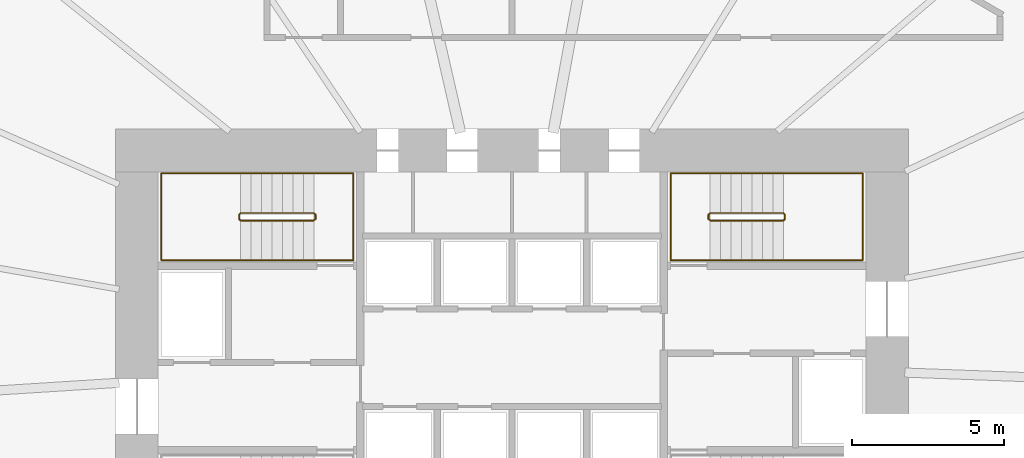
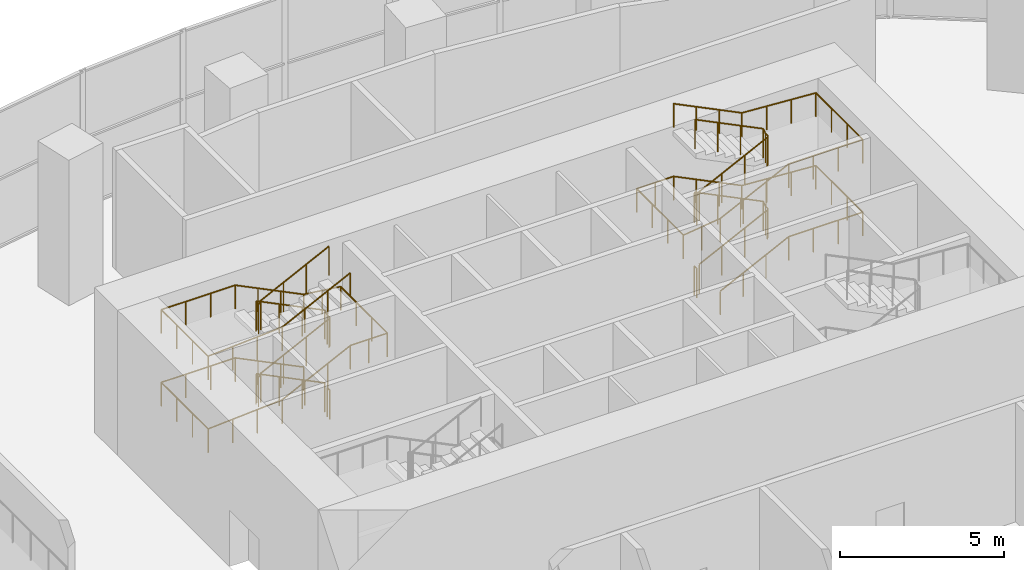
# One storey, part 20 of 20: 6 railings.
"""IFC4 building model written with IfcOpenShell, lengths in metres."""

from ifc_helpers import new_model, si_unit, direction, frame, origin, origin_2d, place, context, subcontext, project, spatial, circle, extrude, material, type_object, element, save


model = new_model("IFC4")

# Units and contexts
model_context = context("Model", 3, precision=1e-05, world=origin(), true_north=direction((0.0, 1.0)))
body_context = subcontext(model_context, "Body", "Model", "MODEL_VIEW")
ifc_project = project(units=[si_unit("LENGTHUNIT", "METRE"), si_unit("AREAUNIT", "SQUARE_METRE"), si_unit("VOLUMEUNIT", "CUBIC_METRE"), si_unit("PLANEANGLEUNIT", "RADIAN"), si_unit("MASSUNIT", "GRAM", prefix="KILO")], contexts=[model_context])

# Site, building, storey
site_placement = place(None, origin())
site = spatial("IfcSite", under=ifc_project, at=site_placement, CompositionType="ELEMENT")
building_placement = place(site_placement, origin())
building = spatial("IfcBuilding", under=site, at=building_placement, Name="Rubra Terraces Tower", CompositionType="ELEMENT")
storey_placement = place(building_placement, frame((0.0, 0.0, 22.800048828125)))
storey = spatial("IfcBuildingStorey", under=building, at=storey_placement, Name="L03", CompositionType="ELEMENT", Elevation=22.800048828125)

# Railings
ifc_material = material(Name="Stainless steel", Category="steel")
railing_type_1 = type_object("IfcRailingType", Name="Core stair guard 1100", PredefinedType="GUARDRAIL", material=ifc_material)
railing_1_placement = place(storey_placement, frame((-6.5, 9.25, 0.168701171875)))
element("IfcRailing", 1, at=railing_1_placement, inside=storey, type_object=railing_type_1, Name="L03 stair S2 guard 1", PredefinedType="GUARDRAIL", context=body_context, shape_type="SweptSolid", body=[
    extrude(circle(Radius=0.02392578125, at=origin_2d()), frame((0.0, 0.0, 1.076171875), z_axis=(-0.897220749972, 0.0, 0.441582297901), x_axis=(0.0, -1.0, 0.0)), (0.0, 0.0, 1.0), 2.6748046875),
    extrude(circle(Radius=0.02392578125, at=origin_2d()), frame((-2.39990234375, 0.0, 2.25732421875), z_axis=(-0.707106781187, -0.707106781187, 0.0), x_axis=(0.707106781187, -0.707106781187, 0.0)), (0.0, 0.0, 1.0), 0.07080078125),
    extrude(circle(Radius=0.02392578125, at=origin_2d()), frame((-2.449951171875, -0.050048828125, 2.25732421875), z_axis=(0.0, -1.0, 0.0), x_axis=(1.0, 0.0, 0.0)), (0.0, 0.0, 1.0), 0.14990234375),
    extrude(circle(Radius=0.02392578125, at=origin_2d()), frame((-2.449951171875, -0.199951171875, 2.25732421875), z_axis=(0.273232802156, -0.273232802156, 0.922327312645), x_axis=(0.707106781187, 0.707106781187, 0.0)), (0.0, 0.0, 1.0), 0.18310546875),
    extrude(circle(Radius=0.02392578125, at=origin_2d()), frame((-2.39990234375, -0.25, 2.42626953125), z_axis=(0.897220749972, 0.0, 0.441582297901), x_axis=(0.0, 1.0, 0.0)), (0.0, 0.0, 1.0), 2.6748046875),
    extrude(circle(Radius=0.02392578125, at=origin_2d()), frame((0.0, -0.25, 3.607421875), z_axis=(0.707106781187, 0.707106781187, 0.0), x_axis=(-0.707106781187, 0.707106781187, 0.0)), (0.0, 0.0, 1.0), 0.07080078125),
    extrude(circle(Radius=0.02392578125, at=origin_2d()), frame((0.050048828125, -0.199951171875, 3.607421875), z_axis=(0.0, 1.0, 0.0), x_axis=(-1.0, 0.0, 0.0)), (0.0, 0.0, 1.0), 0.14990234375),
    extrude(circle(Radius=0.02392578125, at=origin_2d()), frame((0.050048828125, -0.050048828125, 3.607421875), z_axis=(-0.273569069059, 0.273569069059, 0.922127935218), x_axis=(-0.707106781187, -0.707106781187, 0.0)), (0.0, 0.0, 1.0), 0.182861328125),
    extrude(circle(Radius=0.02392578125, at=origin_2d()), frame((0.0, 0.0, 3.77587890625), z_axis=(-0.897184586062, 0.0, 0.441655769273), x_axis=(0.0, -1.0, 0.0)), (0.0, 0.0, 1.0), 2.6748046875),
    extrude(circle(Radius=0.02392578125, at=origin_2d()), frame((-2.39990234375, 0.0, 4.95751953125), z_axis=(-0.707106781187, -0.707106781187, 0.0), x_axis=(0.707106781187, -0.707106781187, 0.0)), (0.0, 0.0, 1.0), 0.07080078125),
    extrude(circle(Radius=0.02392578125, at=origin_2d()), frame((-2.449951171875, -0.050048828125, 4.95751953125), z_axis=(0.0, -1.0, 0.0), x_axis=(1.0, 0.0, 0.0)), (0.0, 0.0, 1.0), 0.14990234375),
    extrude(circle(Radius=0.02392578125, at=origin_2d()), frame((-2.449951171875, -0.199951171875, 4.95751953125), z_axis=(0.273569069059, -0.273569069059, 0.922127935218), x_axis=(0.707106781187, 0.707106781187, 0.0)), (0.0, 0.0, 1.0), 0.182861328125),
    extrude(circle(Radius=0.02392578125, at=origin_2d()), frame((-2.39990234375, -0.25, 5.1259765625), z_axis=(0.897220749972, 0.0, 0.441582297901), x_axis=(0.0, 1.0, 0.0)), (0.0, 0.0, 1.0), 2.6748046875),
    extrude(circle(Radius=0.02099609375, at=origin_2d()), origin(), (0.0, 0.0, 1.0), 1.052001953125),
    extrude(circle(Radius=0.02099609375, at=origin_2d()), frame((-0.800048828125, 0.0, 0.393798828125)), (0.0, 0.0, 1.0), 1.052001953125),
    extrude(circle(Radius=0.02099609375, at=origin_2d()), frame((-1.599853515625, 0.0, 0.787353515625)), (0.0, 0.0, 1.0), 1.052001953125),
    extrude(circle(Radius=0.02099609375, at=origin_2d()), frame((-2.39990234375, 0.0, 1.18115234375)), (0.0, 0.0, 1.0), 1.052001953125),
    extrude(circle(Radius=0.02099609375, at=origin_2d()), frame((-2.449951171875, -0.050048828125, 1.18115234375)), (0.0, 0.0, 1.0), 1.052001953125),
    extrude(circle(Radius=0.02099609375, at=origin_2d()), frame((-2.449951171875, -0.199951171875, 1.18115234375)), (0.0, 0.0, 1.0), 1.052001953125),
    extrude(circle(Radius=0.02099609375, at=origin_2d()), frame((-2.39990234375, -0.25, 1.35009765625)), (0.0, 0.0, 1.0), 1.052001953125),
    extrude(circle(Radius=0.02099609375, at=origin_2d()), frame((-1.599853515625, -0.25, 1.743896484375)), (0.0, 0.0, 1.0), 1.052001953125),
    extrude(circle(Radius=0.02099609375, at=origin_2d()), frame((-0.800048828125, -0.25, 2.137451171875)), (0.0, 0.0, 1.0), 1.052001953125),
    extrude(circle(Radius=0.02099609375, at=origin_2d()), frame((0.0, -0.25, 2.53125)), (0.0, 0.0, 1.0), 1.052001953125),
    extrude(circle(Radius=0.02099609375, at=origin_2d()), frame((0.050048828125, -0.199951171875, 2.53125)), (0.0, 0.0, 1.0), 1.052001953125),
    extrude(circle(Radius=0.02099609375, at=origin_2d()), frame((0.050048828125, -0.050048828125, 2.53125)), (0.0, 0.0, 1.0), 1.052001953125),
    extrude(circle(Radius=0.02099609375, at=origin_2d()), frame((0.0, 0.0, 2.699951171875)), (0.0, 0.0, 1.0), 1.052001953125),
    extrude(circle(Radius=0.02099609375, at=origin_2d()), frame((-0.800048828125, 0.0, 3.09375)), (0.0, 0.0, 1.0), 1.052001953125),
    extrude(circle(Radius=0.02099609375, at=origin_2d()), frame((-1.599853515625, 0.0, 3.487548828125)), (0.0, 0.0, 1.0), 1.052001953125),
    extrude(circle(Radius=0.02099609375, at=origin_2d()), frame((-2.39990234375, 0.0, 3.88134765625)), (0.0, 0.0, 1.0), 1.052001953125),
    extrude(circle(Radius=0.02099609375, at=origin_2d()), frame((-2.449951171875, -0.050048828125, 3.88134765625)), (0.0, 0.0, 1.0), 1.052001953125),
    extrude(circle(Radius=0.02099609375, at=origin_2d()), frame((-2.449951171875, -0.199951171875, 3.88134765625)), (0.0, 0.0, 1.0), 1.052001953125),
    extrude(circle(Radius=0.02099609375, at=origin_2d()), frame((-2.39990234375, -0.25, 4.050048828125)), (0.0, 0.0, 1.0), 1.052001953125),
    extrude(circle(Radius=0.02099609375, at=origin_2d()), frame((-1.599853515625, -0.25, 4.44384765625)), (0.0, 0.0, 1.0), 1.052001953125),
    extrude(circle(Radius=0.02099609375, at=origin_2d()), frame((-0.800048828125, -0.25, 4.83740234375)), (0.0, 0.0, 1.0), 1.052001953125),
    extrude(circle(Radius=0.02099609375, at=origin_2d()), frame((0.0, -0.25, 5.231201171875)), (0.0, 0.0, 1.0), 1.052001953125),
])
railing_2_placement = place(storey_placement, frame((-6.449951171875, 9.199951171875, 0.0)))
element("IfcRailing", 2, at=railing_2_placement, inside=storey, type_object=railing_type_1, Name="L03 stair S2 guard 2", PredefinedType="GUARDRAIL", context=body_context, shape_type="SweptSolid", body=[
    extrude(circle(Radius=0.02392578125, at=origin_2d()), frame((0.0, 0.0, 1.076171875), z_axis=(0.0, -1.0, 0.0), x_axis=(1.0, 0.0, 0.0)), (0.0, 0.0, 1.0), 0.14990234375),
    extrude(circle(Radius=0.02099609375, at=origin_2d()), origin(), (0.0, 0.0, 1.0), 1.052001953125),
    extrude(circle(Radius=0.02099609375, at=origin_2d()), frame((0.0, -0.14990234375, 0.0)), (0.0, 0.0, 1.0), 1.052001953125),
])
railing_3_placement = place(storey_placement, frame((6.5, 9.0, 0.168701171875)))
element("IfcRailing", 3, at=railing_3_placement, inside=storey, type_object=railing_type_1, Name="L03 stair S3 guard 1", PredefinedType="GUARDRAIL", context=body_context, shape_type="SweptSolid", body=[
    extrude(circle(Radius=0.02392578125, at=origin_2d()), frame((0.0, 0.0, 1.076171875), z_axis=(0.897220749972, 0.0, 0.441582297901), x_axis=(0.0, 1.0, 0.0)), (0.0, 0.0, 1.0), 2.6748046875),
    extrude(circle(Radius=0.02392578125, at=origin_2d()), frame((2.39990234375, 0.0, 2.25732421875), z_axis=(0.707106781187, 0.707106781187, 0.0), x_axis=(-0.707106781187, 0.707106781187, 0.0)), (0.0, 0.0, 1.0), 0.07080078125),
    extrude(circle(Radius=0.02392578125, at=origin_2d()), frame((2.449951171875, 0.050048828125, 2.25732421875), z_axis=(0.0, 1.0, 0.0), x_axis=(-1.0, 0.0, 0.0)), (0.0, 0.0, 1.0), 0.14990234375),
    extrude(circle(Radius=0.02392578125, at=origin_2d()), frame((2.449951171875, 0.199951171875, 2.25732421875), z_axis=(-0.273232802156, 0.273232802156, 0.922327312645), x_axis=(-0.707106781187, -0.707106781187, 0.0)), (0.0, 0.0, 1.0), 0.18310546875),
    extrude(circle(Radius=0.02392578125, at=origin_2d()), frame((2.39990234375, 0.25, 2.42626953125), z_axis=(-0.897220749972, 0.0, 0.441582297901), x_axis=(0.0, -1.0, 0.0)), (0.0, 0.0, 1.0), 2.6748046875),
    extrude(circle(Radius=0.02392578125, at=origin_2d()), frame((0.0, 0.25, 3.607421875), z_axis=(-0.707106781187, -0.707106781187, 0.0), x_axis=(0.707106781187, -0.707106781187, 0.0)), (0.0, 0.0, 1.0), 0.07080078125),
    extrude(circle(Radius=0.02392578125, at=origin_2d()), frame((-0.050048828125, 0.199951171875, 3.607421875), z_axis=(0.0, -1.0, 0.0), x_axis=(1.0, 0.0, 0.0)), (0.0, 0.0, 1.0), 0.14990234375),
    extrude(circle(Radius=0.02392578125, at=origin_2d()), frame((-0.050048828125, 0.050048828125, 3.607421875), z_axis=(0.273569069059, -0.273569069059, 0.922127935218), x_axis=(0.707106781187, 0.707106781187, 0.0)), (0.0, 0.0, 1.0), 0.182861328125),
    extrude(circle(Radius=0.02392578125, at=origin_2d()), frame((0.0, 0.0, 3.77587890625), z_axis=(0.897184586062, 0.0, 0.441655769273), x_axis=(0.0, 1.0, 0.0)), (0.0, 0.0, 1.0), 2.6748046875),
    extrude(circle(Radius=0.02392578125, at=origin_2d()), frame((2.39990234375, 0.0, 4.95751953125), z_axis=(0.707106781187, 0.707106781187, 0.0), x_axis=(-0.707106781187, 0.707106781187, 0.0)), (0.0, 0.0, 1.0), 0.07080078125),
    extrude(circle(Radius=0.02392578125, at=origin_2d()), frame((2.449951171875, 0.050048828125, 4.95751953125), z_axis=(0.0, 1.0, 0.0), x_axis=(-1.0, 0.0, 0.0)), (0.0, 0.0, 1.0), 0.14990234375),
    extrude(circle(Radius=0.02392578125, at=origin_2d()), frame((2.449951171875, 0.199951171875, 4.95751953125), z_axis=(-0.273569069059, 0.273569069059, 0.922127935218), x_axis=(-0.707106781187, -0.707106781187, 0.0)), (0.0, 0.0, 1.0), 0.182861328125),
    extrude(circle(Radius=0.02392578125, at=origin_2d()), frame((2.39990234375, 0.25, 5.1259765625), z_axis=(-0.897220749972, 0.0, 0.441582297901), x_axis=(0.0, -1.0, 0.0)), (0.0, 0.0, 1.0), 2.6748046875),
    extrude(circle(Radius=0.02099609375, at=origin_2d()), origin(), (0.0, 0.0, 1.0), 1.052001953125),
    extrude(circle(Radius=0.02099609375, at=origin_2d()), frame((0.800048828125, 0.0, 0.393798828125)), (0.0, 0.0, 1.0), 1.052001953125),
    extrude(circle(Radius=0.02099609375, at=origin_2d()), frame((1.599853515625, 0.0, 0.787353515625)), (0.0, 0.0, 1.0), 1.052001953125),
    extrude(circle(Radius=0.02099609375, at=origin_2d()), frame((2.39990234375, 0.0, 1.18115234375)), (0.0, 0.0, 1.0), 1.052001953125),
    extrude(circle(Radius=0.02099609375, at=origin_2d()), frame((2.449951171875, 0.050048828125, 1.18115234375)), (0.0, 0.0, 1.0), 1.052001953125),
    extrude(circle(Radius=0.02099609375, at=origin_2d()), frame((2.449951171875, 0.199951171875, 1.18115234375)), (0.0, 0.0, 1.0), 1.052001953125),
    extrude(circle(Radius=0.02099609375, at=origin_2d()), frame((2.39990234375, 0.25, 1.35009765625)), (0.0, 0.0, 1.0), 1.052001953125),
    extrude(circle(Radius=0.02099609375, at=origin_2d()), frame((1.599853515625, 0.25, 1.743896484375)), (0.0, 0.0, 1.0), 1.052001953125),
    extrude(circle(Radius=0.02099609375, at=origin_2d()), frame((0.800048828125, 0.25, 2.137451171875)), (0.0, 0.0, 1.0), 1.052001953125),
    extrude(circle(Radius=0.02099609375, at=origin_2d()), frame((0.0, 0.25, 2.53125)), (0.0, 0.0, 1.0), 1.052001953125),
    extrude(circle(Radius=0.02099609375, at=origin_2d()), frame((-0.050048828125, 0.199951171875, 2.53125)), (0.0, 0.0, 1.0), 1.052001953125),
    extrude(circle(Radius=0.02099609375, at=origin_2d()), frame((-0.050048828125, 0.050048828125, 2.53125)), (0.0, 0.0, 1.0), 1.052001953125),
    extrude(circle(Radius=0.02099609375, at=origin_2d()), frame((0.0, 0.0, 2.699951171875)), (0.0, 0.0, 1.0), 1.052001953125),
    extrude(circle(Radius=0.02099609375, at=origin_2d()), frame((0.800048828125, 0.0, 3.09375)), (0.0, 0.0, 1.0), 1.052001953125),
    extrude(circle(Radius=0.02099609375, at=origin_2d()), frame((1.599853515625, 0.0, 3.487548828125)), (0.0, 0.0, 1.0), 1.052001953125),
    extrude(circle(Radius=0.02099609375, at=origin_2d()), frame((2.39990234375, 0.0, 3.88134765625)), (0.0, 0.0, 1.0), 1.052001953125),
    extrude(circle(Radius=0.02099609375, at=origin_2d()), frame((2.449951171875, 0.050048828125, 3.88134765625)), (0.0, 0.0, 1.0), 1.052001953125),
    extrude(circle(Radius=0.02099609375, at=origin_2d()), frame((2.449951171875, 0.199951171875, 3.88134765625)), (0.0, 0.0, 1.0), 1.052001953125),
    extrude(circle(Radius=0.02099609375, at=origin_2d()), frame((2.39990234375, 0.25, 4.050048828125)), (0.0, 0.0, 1.0), 1.052001953125),
    extrude(circle(Radius=0.02099609375, at=origin_2d()), frame((1.599853515625, 0.25, 4.44384765625)), (0.0, 0.0, 1.0), 1.052001953125),
    extrude(circle(Radius=0.02099609375, at=origin_2d()), frame((0.800048828125, 0.25, 4.83740234375)), (0.0, 0.0, 1.0), 1.052001953125),
    extrude(circle(Radius=0.02099609375, at=origin_2d()), frame((0.0, 0.25, 5.231201171875)), (0.0, 0.0, 1.0), 1.052001953125),
])
railing_4_placement = place(storey_placement, frame((6.449951171875, 9.050048828125, 0.0)))
element("IfcRailing", 4, at=railing_4_placement, inside=storey, type_object=railing_type_1, Name="L03 stair S3 guard 2", PredefinedType="GUARDRAIL", context=body_context, shape_type="SweptSolid", body=[
    extrude(circle(Radius=0.02392578125, at=origin_2d()), frame((0.0, 0.0, 1.076171875), z_axis=(0.0, 1.0, 0.0), x_axis=(-1.0, 0.0, 0.0)), (0.0, 0.0, 1.0), 0.14990234375),
    extrude(circle(Radius=0.02099609375, at=origin_2d()), origin(), (0.0, 0.0, 1.0), 1.052001953125),
    extrude(circle(Radius=0.02099609375, at=origin_2d()), frame((0.0, 0.14990234375, 0.0)), (0.0, 0.0, 1.0), 1.052001953125),
])
railing_type_2 = type_object("IfcRailingType", Name="Core stair handrail 900", PredefinedType="HANDRAIL", material=ifc_material)
railing_5_placement = place(storey_placement, frame((-6.5, 10.550048828125, 0.168701171875)))
element("IfcRailing", 5, at=railing_5_placement, inside=storey, type_object=railing_type_2, Name="L03 stair S2 handrail 1", PredefinedType="HANDRAIL", context=body_context, shape_type="SweptSolid", body=[
    extrude(circle(Radius=0.02392578125, at=origin_2d()), frame((0.0, 0.0, 0.8759765625), z_axis=(-0.897220749972, 0.0, 0.441582297901), x_axis=(0.0, -1.0, 0.0)), (0.0, 0.0, 1.0), 2.6748046875),
    extrude(circle(Radius=0.02392578125, at=origin_2d()), frame((-2.39990234375, 0.0, 2.05712890625), z_axis=(-1.0, 0.0, 0.0), x_axis=(0.0, -1.0, 0.0)), (0.0, 0.0, 1.0), 2.60009765625),
    extrude(circle(Radius=0.02392578125, at=origin_2d()), frame((-5.0, 0.0, 2.05712890625), z_axis=(0.0, -1.0, 0.0), x_axis=(1.0, 0.0, 0.0)), (0.0, 0.0, 1.0), 2.85009765625),
    extrude(circle(Radius=0.02392578125, at=origin_2d()), frame((-5.0, -2.85009765625, 2.05712890625), z_axis=(0.997895686435, 0.0, 0.064839794837), x_axis=(0.0, 1.0, 0.0)), (0.0, 0.0, 1.0), 2.60546875),
    extrude(circle(Radius=0.02392578125, at=origin_2d()), frame((-2.39990234375, -2.85009765625, 2.22607421875), z_axis=(0.897220749972, 0.0, 0.441582297901), x_axis=(0.0, 1.0, 0.0)), (0.0, 0.0, 1.0), 2.6748046875),
    extrude(circle(Radius=0.02392578125, at=origin_2d()), frame((0.0, -2.85009765625, 3.4072265625), z_axis=(1.0, 0.0, 0.0), x_axis=(0.0, 1.0, 0.0)), (0.0, 0.0, 1.0), 1.300048828125),
    extrude(circle(Radius=0.02392578125, at=origin_2d()), frame((1.300048828125, -2.85009765625, 3.4072265625), z_axis=(0.0, 1.0, 0.0), x_axis=(-1.0, 0.0, 0.0)), (0.0, 0.0, 1.0), 2.85009765625),
    extrude(circle(Radius=0.02392578125, at=origin_2d()), frame((1.300048828125, 0.0, 3.4072265625), z_axis=(-0.991685350679, 0.0, 0.1286863056), x_axis=(0.0, -1.0, 0.0)), (0.0, 0.0, 1.0), 1.31103515625),
    extrude(circle(Radius=0.02392578125, at=origin_2d()), frame((0.0, 0.0, 3.57568359375), z_axis=(-0.897184586062, 0.0, 0.441655769273), x_axis=(0.0, -1.0, 0.0)), (0.0, 0.0, 1.0), 2.6748046875),
    extrude(circle(Radius=0.02392578125, at=origin_2d()), frame((-2.39990234375, 0.0, 4.75732421875), z_axis=(-1.0, 0.0, 0.0), x_axis=(0.0, -1.0, 0.0)), (0.0, 0.0, 1.0), 2.60009765625),
    extrude(circle(Radius=0.02392578125, at=origin_2d()), frame((-5.0, 0.0, 4.75732421875), z_axis=(0.0, -1.0, 0.0), x_axis=(1.0, 0.0, 0.0)), (0.0, 0.0, 1.0), 2.85009765625),
    extrude(circle(Radius=0.02392578125, at=origin_2d()), frame((-5.0, -2.85009765625, 4.75732421875), z_axis=(0.997901744757, 0.0, 0.064746488791), x_axis=(0.0, 1.0, 0.0)), (0.0, 0.0, 1.0), 2.60546875),
    extrude(circle(Radius=0.02392578125, at=origin_2d()), frame((-2.39990234375, -2.85009765625, 4.92578125), z_axis=(0.897220749972, 0.0, 0.441582297901), x_axis=(0.0, 1.0, 0.0)), (0.0, 0.0, 1.0), 2.6748046875),
    extrude(circle(Radius=0.02099609375, at=origin_2d()), origin(), (0.0, 0.0, 1.0), 0.851806640625),
    extrude(circle(Radius=0.02099609375, at=origin_2d()), frame((-0.800048828125, 0.0, 0.393798828125)), (0.0, 0.0, 1.0), 0.851806640625),
    extrude(circle(Radius=0.02099609375, at=origin_2d()), frame((-1.599853515625, 0.0, 0.787353515625)), (0.0, 0.0, 1.0), 0.851806640625),
    extrude(circle(Radius=0.02099609375, at=origin_2d()), frame((-2.39990234375, 0.0, 1.18115234375)), (0.0, 0.0, 1.0), 0.851806640625),
    extrude(circle(Radius=0.02099609375, at=origin_2d()), frame((-3.2666015625, 0.0, 1.18115234375)), (0.0, 0.0, 1.0), 0.851806640625),
    extrude(circle(Radius=0.02099609375, at=origin_2d()), frame((-4.13330078125, 0.0, 1.18115234375)), (0.0, 0.0, 1.0), 0.851806640625),
    extrude(circle(Radius=0.02099609375, at=origin_2d()), frame((-5.0, 0.0, 1.18115234375)), (0.0, 0.0, 1.0), 0.851806640625),
    extrude(circle(Radius=0.02099609375, at=origin_2d()), frame((-5.0, -0.949951171875, 1.18115234375)), (0.0, 0.0, 1.0), 0.851806640625),
    extrude(circle(Radius=0.02099609375, at=origin_2d()), frame((-5.0, -1.900146484375, 1.18115234375)), (0.0, 0.0, 1.0), 0.851806640625),
    extrude(circle(Radius=0.02099609375, at=origin_2d()), frame((-5.0, -2.85009765625, 1.18115234375)), (0.0, 0.0, 1.0), 0.851806640625),
    extrude(circle(Radius=0.02099609375, at=origin_2d()), frame((-4.13330078125, -2.85009765625, 1.237548828125)), (0.0, 0.0, 1.0), 0.851806640625),
    extrude(circle(Radius=0.02099609375, at=origin_2d()), frame((-3.2666015625, -2.85009765625, 1.293701171875)), (0.0, 0.0, 1.0), 0.851806640625),
    extrude(circle(Radius=0.02099609375, at=origin_2d()), frame((-2.39990234375, -2.85009765625, 1.35009765625)), (0.0, 0.0, 1.0), 0.851806640625),
    extrude(circle(Radius=0.02099609375, at=origin_2d()), frame((-1.599853515625, -2.85009765625, 1.743896484375)), (0.0, 0.0, 1.0), 0.851806640625),
    extrude(circle(Radius=0.02099609375, at=origin_2d()), frame((-0.800048828125, -2.85009765625, 2.137451171875)), (0.0, 0.0, 1.0), 0.851806640625),
    extrude(circle(Radius=0.02099609375, at=origin_2d()), frame((0.0, -2.85009765625, 2.53125)), (0.0, 0.0, 1.0), 0.851806640625),
    extrude(circle(Radius=0.02099609375, at=origin_2d()), frame((0.64990234375, -2.85009765625, 2.53125)), (0.0, 0.0, 1.0), 0.851806640625),
    extrude(circle(Radius=0.02099609375, at=origin_2d()), frame((1.300048828125, -2.85009765625, 2.53125)), (0.0, 0.0, 1.0), 0.851806640625),
    extrude(circle(Radius=0.02099609375, at=origin_2d()), frame((1.300048828125, -1.900146484375, 2.53125)), (0.0, 0.0, 1.0), 0.851806640625),
    extrude(circle(Radius=0.02099609375, at=origin_2d()), frame((1.300048828125, -0.949951171875, 2.53125)), (0.0, 0.0, 1.0), 0.851806640625),
    extrude(circle(Radius=0.02099609375, at=origin_2d()), frame((1.300048828125, 0.0, 2.53125)), (0.0, 0.0, 1.0), 0.851806640625),
    extrude(circle(Radius=0.02099609375, at=origin_2d()), frame((0.64990234375, 0.0, 2.61572265625)), (0.0, 0.0, 1.0), 0.851806640625),
    extrude(circle(Radius=0.02099609375, at=origin_2d()), frame((0.0, 0.0, 2.699951171875)), (0.0, 0.0, 1.0), 0.851806640625),
    extrude(circle(Radius=0.02099609375, at=origin_2d()), frame((-0.800048828125, 0.0, 3.09375)), (0.0, 0.0, 1.0), 0.851806640625),
    extrude(circle(Radius=0.02099609375, at=origin_2d()), frame((-1.599853515625, 0.0, 3.487548828125)), (0.0, 0.0, 1.0), 0.851806640625),
    extrude(circle(Radius=0.02099609375, at=origin_2d()), frame((-2.39990234375, 0.0, 3.88134765625)), (0.0, 0.0, 1.0), 0.851806640625),
    extrude(circle(Radius=0.02099609375, at=origin_2d()), frame((-3.2666015625, 0.0, 3.88134765625)), (0.0, 0.0, 1.0), 0.851806640625),
    extrude(circle(Radius=0.02099609375, at=origin_2d()), frame((-4.13330078125, 0.0, 3.88134765625)), (0.0, 0.0, 1.0), 0.851806640625),
    extrude(circle(Radius=0.02099609375, at=origin_2d()), frame((-5.0, 0.0, 3.88134765625)), (0.0, 0.0, 1.0), 0.851806640625),
    extrude(circle(Radius=0.02099609375, at=origin_2d()), frame((-5.0, -0.949951171875, 3.88134765625)), (0.0, 0.0, 1.0), 0.851806640625),
    extrude(circle(Radius=0.02099609375, at=origin_2d()), frame((-5.0, -1.900146484375, 3.88134765625)), (0.0, 0.0, 1.0), 0.851806640625),
    extrude(circle(Radius=0.02099609375, at=origin_2d()), frame((-5.0, -2.85009765625, 3.88134765625)), (0.0, 0.0, 1.0), 0.851806640625),
    extrude(circle(Radius=0.02099609375, at=origin_2d()), frame((-4.13330078125, -2.85009765625, 3.9375)), (0.0, 0.0, 1.0), 0.851806640625),
    extrude(circle(Radius=0.02099609375, at=origin_2d()), frame((-3.2666015625, -2.85009765625, 3.993896484375)), (0.0, 0.0, 1.0), 0.851806640625),
    extrude(circle(Radius=0.02099609375, at=origin_2d()), frame((-2.39990234375, -2.85009765625, 4.050048828125)), (0.0, 0.0, 1.0), 0.851806640625),
    extrude(circle(Radius=0.02099609375, at=origin_2d()), frame((-1.599853515625, -2.85009765625, 4.44384765625)), (0.0, 0.0, 1.0), 0.851806640625),
    extrude(circle(Radius=0.02099609375, at=origin_2d()), frame((-0.800048828125, -2.85009765625, 4.83740234375)), (0.0, 0.0, 1.0), 0.851806640625),
    extrude(circle(Radius=0.02099609375, at=origin_2d()), frame((0.0, -2.85009765625, 5.231201171875)), (0.0, 0.0, 1.0), 0.851806640625),
])
railing_6_placement = place(storey_placement, frame((6.5, 7.699951171875, 0.168701171875)))
element("IfcRailing", 6, at=railing_6_placement, inside=storey, type_object=railing_type_2, Name="L03 stair S3 handrail 1", PredefinedType="HANDRAIL", context=body_context, shape_type="SweptSolid", body=[
    extrude(circle(Radius=0.02392578125, at=origin_2d()), frame((0.0, 0.0, 0.8759765625), z_axis=(0.897220749972, 0.0, 0.441582297901), x_axis=(0.0, 1.0, 0.0)), (0.0, 0.0, 1.0), 2.6748046875),
    extrude(circle(Radius=0.02392578125, at=origin_2d()), frame((2.39990234375, 0.0, 2.05712890625), z_axis=(1.0, 0.0, 0.0), x_axis=(0.0, 1.0, 0.0)), (0.0, 0.0, 1.0), 2.60009765625),
    extrude(circle(Radius=0.02392578125, at=origin_2d()), frame((5.0, 0.0, 2.05712890625), z_axis=(0.0, 1.0, 0.0), x_axis=(-1.0, 0.0, 0.0)), (0.0, 0.0, 1.0), 2.85009765625),
    extrude(circle(Radius=0.02392578125, at=origin_2d()), frame((5.0, 2.85009765625, 2.05712890625), z_axis=(-0.997895686435, 0.0, 0.064839794837), x_axis=(0.0, -1.0, 0.0)), (0.0, 0.0, 1.0), 2.60546875),
    extrude(circle(Radius=0.02392578125, at=origin_2d()), frame((2.39990234375, 2.85009765625, 2.22607421875), z_axis=(-0.897220749972, 0.0, 0.441582297901), x_axis=(0.0, -1.0, 0.0)), (0.0, 0.0, 1.0), 2.6748046875),
    extrude(circle(Radius=0.02392578125, at=origin_2d()), frame((0.0, 2.85009765625, 3.4072265625), z_axis=(-1.0, 0.0, 0.0), x_axis=(0.0, -1.0, 0.0)), (0.0, 0.0, 1.0), 1.300048828125),
    extrude(circle(Radius=0.02392578125, at=origin_2d()), frame((-1.300048828125, 2.85009765625, 3.4072265625), z_axis=(0.0, -1.0, 0.0), x_axis=(1.0, 0.0, 0.0)), (0.0, 0.0, 1.0), 2.85009765625),
    extrude(circle(Radius=0.02392578125, at=origin_2d()), frame((-1.300048828125, 0.0, 3.4072265625), z_axis=(0.991685350679, 0.0, 0.1286863056), x_axis=(0.0, 1.0, 0.0)), (0.0, 0.0, 1.0), 1.31103515625),
    extrude(circle(Radius=0.02392578125, at=origin_2d()), frame((0.0, 0.0, 3.57568359375), z_axis=(0.897184586062, 0.0, 0.441655769273), x_axis=(0.0, 1.0, 0.0)), (0.0, 0.0, 1.0), 2.6748046875),
    extrude(circle(Radius=0.02392578125, at=origin_2d()), frame((2.39990234375, 0.0, 4.75732421875), z_axis=(1.0, 0.0, 0.0), x_axis=(0.0, 1.0, 0.0)), (0.0, 0.0, 1.0), 2.60009765625),
    extrude(circle(Radius=0.02392578125, at=origin_2d()), frame((5.0, 0.0, 4.75732421875), z_axis=(0.0, 1.0, 0.0), x_axis=(-1.0, 0.0, 0.0)), (0.0, 0.0, 1.0), 2.85009765625),
    extrude(circle(Radius=0.02392578125, at=origin_2d()), frame((5.0, 2.85009765625, 4.75732421875), z_axis=(-0.997901744757, 0.0, 0.064746488791), x_axis=(0.0, -1.0, 0.0)), (0.0, 0.0, 1.0), 2.60546875),
    extrude(circle(Radius=0.02392578125, at=origin_2d()), frame((2.39990234375, 2.85009765625, 4.92578125), z_axis=(-0.897220749972, 0.0, 0.441582297901), x_axis=(0.0, -1.0, 0.0)), (0.0, 0.0, 1.0), 2.6748046875),
    extrude(circle(Radius=0.02099609375, at=origin_2d()), origin(), (0.0, 0.0, 1.0), 0.851806640625),
    extrude(circle(Radius=0.02099609375, at=origin_2d()), frame((0.800048828125, 0.0, 0.393798828125)), (0.0, 0.0, 1.0), 0.851806640625),
    extrude(circle(Radius=0.02099609375, at=origin_2d()), frame((1.599853515625, 0.0, 0.787353515625)), (0.0, 0.0, 1.0), 0.851806640625),
    extrude(circle(Radius=0.02099609375, at=origin_2d()), frame((2.39990234375, 0.0, 1.18115234375)), (0.0, 0.0, 1.0), 0.851806640625),
    extrude(circle(Radius=0.02099609375, at=origin_2d()), frame((3.2666015625, 0.0, 1.18115234375)), (0.0, 0.0, 1.0), 0.851806640625),
    extrude(circle(Radius=0.02099609375, at=origin_2d()), frame((4.13330078125, 0.0, 1.18115234375)), (0.0, 0.0, 1.0), 0.851806640625),
    extrude(circle(Radius=0.02099609375, at=origin_2d()), frame((5.0, 0.0, 1.18115234375)), (0.0, 0.0, 1.0), 0.851806640625),
    extrude(circle(Radius=0.02099609375, at=origin_2d()), frame((5.0, 0.949951171875, 1.18115234375)), (0.0, 0.0, 1.0), 0.851806640625),
    extrude(circle(Radius=0.02099609375, at=origin_2d()), frame((5.0, 1.900146484375, 1.18115234375)), (0.0, 0.0, 1.0), 0.851806640625),
    extrude(circle(Radius=0.02099609375, at=origin_2d()), frame((5.0, 2.85009765625, 1.18115234375)), (0.0, 0.0, 1.0), 0.851806640625),
    extrude(circle(Radius=0.02099609375, at=origin_2d()), frame((4.13330078125, 2.85009765625, 1.237548828125)), (0.0, 0.0, 1.0), 0.851806640625),
    extrude(circle(Radius=0.02099609375, at=origin_2d()), frame((3.2666015625, 2.85009765625, 1.293701171875)), (0.0, 0.0, 1.0), 0.851806640625),
    extrude(circle(Radius=0.02099609375, at=origin_2d()), frame((2.39990234375, 2.85009765625, 1.35009765625)), (0.0, 0.0, 1.0), 0.851806640625),
    extrude(circle(Radius=0.02099609375, at=origin_2d()), frame((1.599853515625, 2.85009765625, 1.743896484375)), (0.0, 0.0, 1.0), 0.851806640625),
    extrude(circle(Radius=0.02099609375, at=origin_2d()), frame((0.800048828125, 2.85009765625, 2.137451171875)), (0.0, 0.0, 1.0), 0.851806640625),
    extrude(circle(Radius=0.02099609375, at=origin_2d()), frame((0.0, 2.85009765625, 2.53125)), (0.0, 0.0, 1.0), 0.851806640625),
    extrude(circle(Radius=0.02099609375, at=origin_2d()), frame((-0.64990234375, 2.85009765625, 2.53125)), (0.0, 0.0, 1.0), 0.851806640625),
    extrude(circle(Radius=0.02099609375, at=origin_2d()), frame((-1.300048828125, 2.85009765625, 2.53125)), (0.0, 0.0, 1.0), 0.851806640625),
    extrude(circle(Radius=0.02099609375, at=origin_2d()), frame((-1.300048828125, 1.900146484375, 2.53125)), (0.0, 0.0, 1.0), 0.851806640625),
    extrude(circle(Radius=0.02099609375, at=origin_2d()), frame((-1.300048828125, 0.949951171875, 2.53125)), (0.0, 0.0, 1.0), 0.851806640625),
    extrude(circle(Radius=0.02099609375, at=origin_2d()), frame((-1.300048828125, 0.0, 2.53125)), (0.0, 0.0, 1.0), 0.851806640625),
    extrude(circle(Radius=0.02099609375, at=origin_2d()), frame((-0.64990234375, 0.0, 2.61572265625)), (0.0, 0.0, 1.0), 0.851806640625),
    extrude(circle(Radius=0.02099609375, at=origin_2d()), frame((0.0, 0.0, 2.699951171875)), (0.0, 0.0, 1.0), 0.851806640625),
    extrude(circle(Radius=0.02099609375, at=origin_2d()), frame((0.800048828125, 0.0, 3.09375)), (0.0, 0.0, 1.0), 0.851806640625),
    extrude(circle(Radius=0.02099609375, at=origin_2d()), frame((1.599853515625, 0.0, 3.487548828125)), (0.0, 0.0, 1.0), 0.851806640625),
    extrude(circle(Radius=0.02099609375, at=origin_2d()), frame((2.39990234375, 0.0, 3.88134765625)), (0.0, 0.0, 1.0), 0.851806640625),
    extrude(circle(Radius=0.02099609375, at=origin_2d()), frame((3.2666015625, 0.0, 3.88134765625)), (0.0, 0.0, 1.0), 0.851806640625),
    extrude(circle(Radius=0.02099609375, at=origin_2d()), frame((4.13330078125, 0.0, 3.88134765625)), (0.0, 0.0, 1.0), 0.851806640625),
    extrude(circle(Radius=0.02099609375, at=origin_2d()), frame((5.0, 0.0, 3.88134765625)), (0.0, 0.0, 1.0), 0.851806640625),
    extrude(circle(Radius=0.02099609375, at=origin_2d()), frame((5.0, 0.949951171875, 3.88134765625)), (0.0, 0.0, 1.0), 0.851806640625),
    extrude(circle(Radius=0.02099609375, at=origin_2d()), frame((5.0, 1.900146484375, 3.88134765625)), (0.0, 0.0, 1.0), 0.851806640625),
    extrude(circle(Radius=0.02099609375, at=origin_2d()), frame((5.0, 2.85009765625, 3.88134765625)), (0.0, 0.0, 1.0), 0.851806640625),
    extrude(circle(Radius=0.02099609375, at=origin_2d()), frame((4.13330078125, 2.85009765625, 3.9375)), (0.0, 0.0, 1.0), 0.851806640625),
    extrude(circle(Radius=0.02099609375, at=origin_2d()), frame((3.2666015625, 2.85009765625, 3.993896484375)), (0.0, 0.0, 1.0), 0.851806640625),
    extrude(circle(Radius=0.02099609375, at=origin_2d()), frame((2.39990234375, 2.85009765625, 4.050048828125)), (0.0, 0.0, 1.0), 0.851806640625),
    extrude(circle(Radius=0.02099609375, at=origin_2d()), frame((1.599853515625, 2.85009765625, 4.44384765625)), (0.0, 0.0, 1.0), 0.851806640625),
    extrude(circle(Radius=0.02099609375, at=origin_2d()), frame((0.800048828125, 2.85009765625, 4.83740234375)), (0.0, 0.0, 1.0), 0.851806640625),
    extrude(circle(Radius=0.02099609375, at=origin_2d()), frame((0.0, 2.85009765625, 5.231201171875)), (0.0, 0.0, 1.0), 0.851806640625),
])

save(model, "model.ifc")
